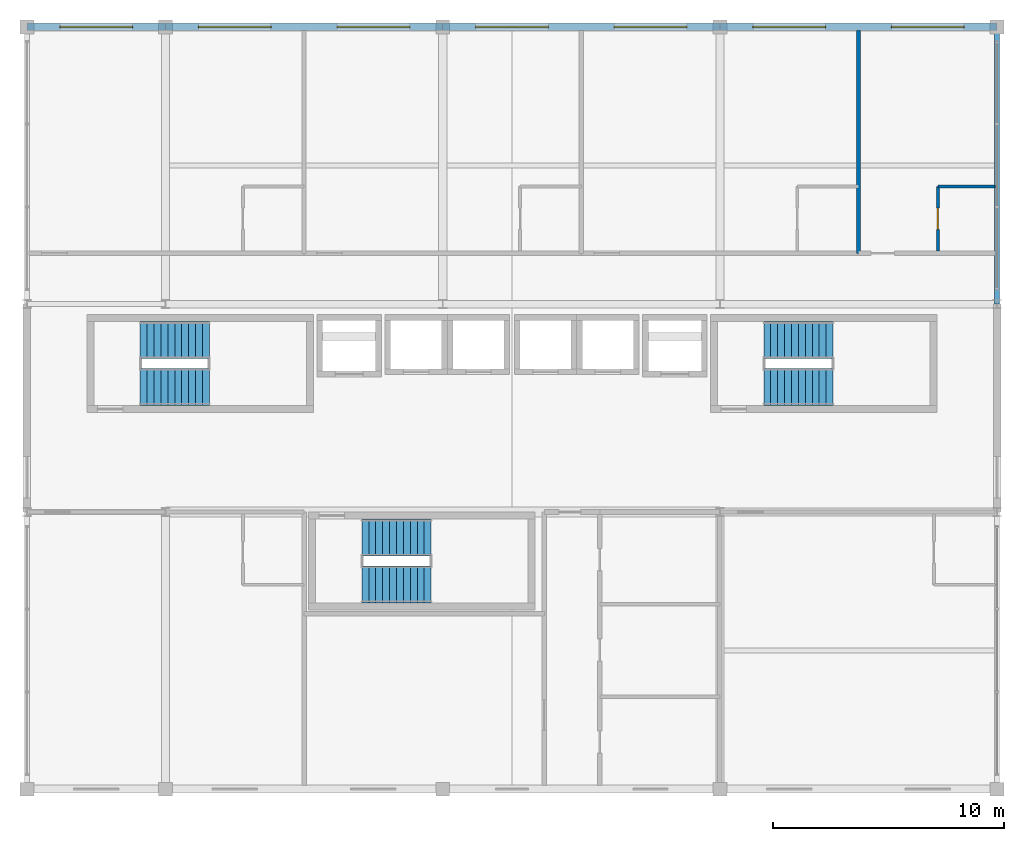
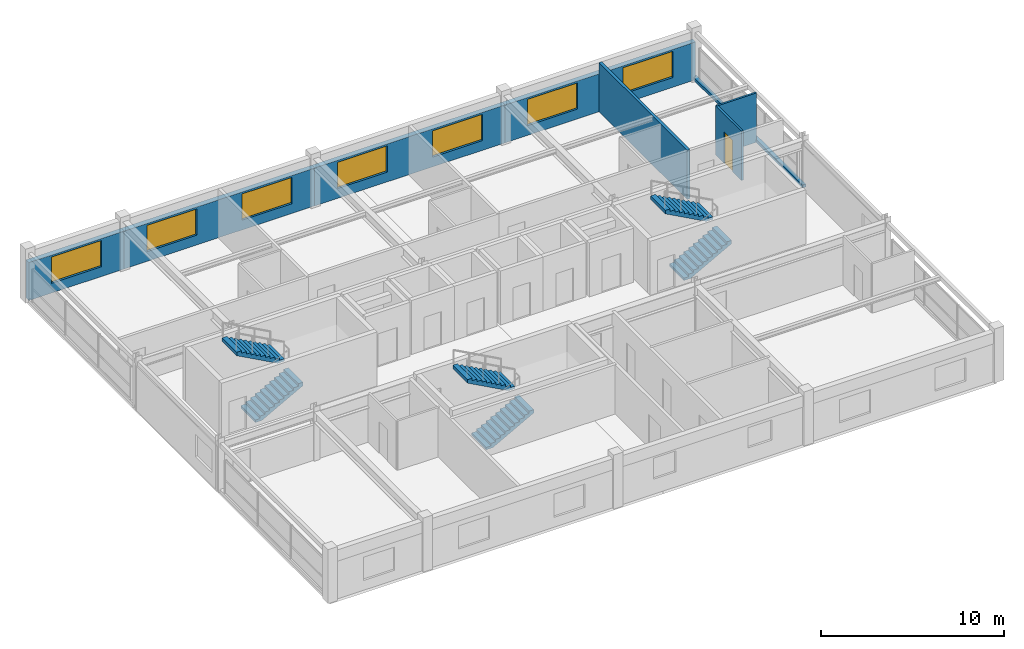
# One storey, part 21 of 22: 8 walls, 7 windows, 6 stair flights, 1 door, 8 openings, 3 elements without a shape of their own.
"""IFC4 building model written with IfcOpenShell, lengths in metres."""

from ifc_helpers import new_model, si_unit, direction, frame, frame_2d, origin, place, context, subcontext, project, spatial, polyline, rectangle, outline, extrude, material, layer, layer_set, type_object, element, fill, aggregate, save


model = new_model("IFC4")

# Units and contexts
model_context = context("Model", 3, precision=1e-05, world=origin(), true_north=direction((0.0, 1.0)))
body_context = subcontext(model_context, "Body", "Model", "MODEL_VIEW")
ifc_project = project(units=[si_unit("LENGTHUNIT", "METRE"), si_unit("AREAUNIT", "SQUARE_METRE"), si_unit("VOLUMEUNIT", "CUBIC_METRE"), si_unit("PLANEANGLEUNIT", "RADIAN"), si_unit("MASSUNIT", "GRAM", prefix="KILO")], contexts=[model_context])

# Site, building, storey
site_placement = place(None, origin())
site = spatial("IfcSite", under=ifc_project, at=site_placement, CompositionType="ELEMENT")
building_placement = place(site_placement, origin())
building = spatial("IfcBuilding", under=site, at=building_placement, Name="Kaldorvane Square Convention Centre", CompositionType="ELEMENT")
storey_placement = place(building_placement, frame((0.0, 0.0, 67.19999694824219)))
storey = spatial("IfcBuildingStorey", under=building, at=storey_placement, Name="L16", CompositionType="ELEMENT", Elevation=67.19999694824219)

# Wall, opening, door
ifc_material_1 = material(Name="Fire-Rated Gypsum Board on Acoustic Steel Studs", Category="steel")
ifc_layer_1 = layer(ifc_material_1, 0.125)
ifc_layer_set_1 = layer_set([ifc_layer_1], Name="Fire-Rated Gypsum Board on Acoustic Steel Studs")
wall_type_1 = type_object("IfcWallType", Name="WL-BATH-125", PredefinedType="PARTITIONING", material=ifc_layer_set_1)
wall_1_placement = place(storey_placement, frame((75.43499755859375, 107.28999328613281, 0.0), z_axis=(0.0, 0.0, 1.0), x_axis=(0.0, 1.0, 0.0)))
wall_1 = element("IfcWall", 1, at=wall_1_placement, inside=storey, type_object=wall_type_1, Name="En-Suite 1604 West Wall", PredefinedType="PARTITIONING", context=body_context, shape_type="SweptSolid", body=[
    extrude(rectangle(XDim=2.8100128173828125, YDim=0.125, at=frame_2d((1.404998779296875, 0.0))), origin(), (0.0, 0.0, 1.0), 3.279998779296875),
])
opening_1_placement = place(wall_1_placement, frame((0.9499969482421875, 0.0, 0.0)))
opening_1 = element("IfcOpeningElement", 2, at=opening_1_placement, cuts=wall_1, Name="Opening ID-12", PredefinedType="OPENING", context=body_context, shape_type="SweptSolid", body=[
    extrude(rectangle(XDim=0.9199981689453125, YDim=2.100006103515625, at=frame_2d((0.459991455078125, 1.0500030517578125))), frame((0.0, 0.0774993896484375, 0.0), z_axis=(0.0, -1.0, 0.0), x_axis=(1.0, 0.0, 0.0)), (0.0, 0.0, 1.0), 0.154998779296875),
])
ifc_material_2 = material(Name="Architectural Solid-Core White Oak")
door_type = type_object("IfcDoorType", Name="DR-BATH-0920X2100", OperationType="SINGLE_SWING_RIGHT", PredefinedType="DOOR", material=ifc_material_2)
door_placement = place(opening_1_placement, origin())
door = element("IfcDoor", 3, at=door_placement, inside=storey, type_object=door_type, Name="En-Suite Bathroom 1604 Door", OperationType="SINGLE_SWING_RIGHT", OverallHeight=2.100006103515625, OverallWidth=0.9199981689453125, PredefinedType="DOOR", context=body_context, shape_type="SweptSolid", body=[
    extrude(rectangle(XDim=0.9199981689453125, YDim=2.100006103515625, at=frame_2d((0.459991455078125, 1.0500030517578125))), frame((0.0, 0.024993896484375, 0.0), z_axis=(0.0, -1.0, 0.0), x_axis=(1.0, 0.0, 0.0)), (0.0, 0.0, 1.0), 0.0500030517578125),
])
fill(opening_1, door)

# Wall
wall_2_placement = place(storey_placement, frame((75.43499755859375, 110.10000610351562, 0.0), z_axis=(0.0, 0.0, 1.0), x_axis=(1.0, 0.0, 0.0)))
element("IfcWall", 4, at=wall_2_placement, inside=storey, type_object=wall_type_1, Name="En-Suite 1604 North Wall", PredefinedType="PARTITIONING", context=body_context, shape_type="SweptSolid", body=[
    extrude(rectangle(XDim=2.4799957275390625, YDim=0.125, at=frame_2d((1.239990234375, 0.0))), origin(), (0.0, 0.0, 1.0), 3.279998779296875),
])

# Wall, opening, window
ifc_material_3 = material(Name="Concrete f'c = 35 MPa (Normalweight)", Category="concrete")
ifc_layer_2 = layer(ifc_material_3, 0.32000732421875)
ifc_layer_set_2 = layer_set([ifc_layer_2], Name="Concrete f'c = 35 MPa (Normalweight)")
wall_type_2 = type_object("IfcWallType", Name="WL-EXT-320", PredefinedType="STANDARD", material=ifc_layer_set_2)
wall_3_placement = place(storey_placement, frame((42.0, 117.0, 0.0), z_axis=(0.0, 0.0, 1.0), x_axis=(-1.0, 0.0, 0.0)))
wall_3 = element("IfcWall", 5, at=wall_3_placement, inside=storey, type_object=wall_type_2, Name="Hotel N Brutalist Facade Wall (L16)", PredefinedType="STANDARD", context=body_context, shape_type="SweptSolid", body=[
    extrude(rectangle(XDim=6.0, YDim=0.32000732421875, at=frame_2d((3.0, 0.0))), origin(), (0.0, 0.0, 1.0), 2.5260009765625),
])
opening_2_placement = place(wall_3_placement, frame((1.4250030517578125, 0.0, 0.649993896484375)))
opening_2 = element("IfcOpeningElement", 6, at=opening_2_placement, cuts=wall_3, Name="Opening W-10", PredefinedType="OPENING", context=body_context, shape_type="SweptSolid", body=[
    extrude(rectangle(XDim=3.149993896484375, YDim=1.75, at=frame_2d((1.5749969482421875, 0.875))), frame((0.0, 0.1750030517578125, 0.0), z_axis=(0.0, -1.0, 0.0), x_axis=(1.0, 0.0, 0.0)), (0.0, 0.0, 1.0), 0.350006103515625),
])
ifc_material_4 = material(Name="Anodized Aluminum and Low-E Insulated Glazing", Category="aluminium")
window_type = type_object("IfcWindowType", Name="WN-HTL-3150X1750", PartitioningType="TRIPLE_PANEL_VERTICAL", PredefinedType="WINDOW", material=ifc_material_4)
window_1_placement = place(opening_2_placement, origin())
window_1 = element("IfcWindow", 7, at=window_1_placement, inside=storey, type_object=window_type, Name="Hotel N Window (L16)", OverallHeight=1.75, OverallWidth=3.149993896484375, PartitioningType="TRIPLE_PANEL_VERTICAL", PredefinedType="WINDOW", context=body_context, shape_type="SweptSolid", body=[
    extrude(rectangle(XDim=3.149993896484375, YDim=1.75, at=frame_2d((1.5749969482421875, 0.875))), frame((0.0, 0.029998779296875, 0.0), z_axis=(0.0, -1.0, 0.0), x_axis=(1.0, 0.0, 0.0)), (0.0, 0.0, 1.0), 0.05999755859375),
])
fill(opening_2, window_1)

# Wall, openings, windows
wall_4_placement = place(storey_placement, frame((54.0, 117.0, 0.0), z_axis=(0.0, 0.0, 1.0), x_axis=(-1.0, 0.0, 0.0)))
wall_4 = element("IfcWall", 8, at=wall_4_placement, inside=storey, type_object=wall_type_2, Name="Hotel N Brutalist Facade Wall (L16)", PredefinedType="STANDARD", context=body_context, shape_type="SweptSolid", body=[
    extrude(rectangle(XDim=12.0, YDim=0.32000732421875, at=frame_2d((6.0, 0.0))), origin(), (0.0, 0.0, 1.0), 2.5260009765625),
])
opening_3_placement = place(wall_4_placement, frame((1.4250030517578125, 0.0, 0.649993896484375)))
opening_3 = element("IfcOpeningElement", 9, at=opening_3_placement, cuts=wall_4, Name="Opening W-10", PredefinedType="OPENING", context=body_context, shape_type="SweptSolid", body=[
    extrude(rectangle(XDim=3.149993896484375, YDim=1.75, at=frame_2d((1.5749969482421875, 0.875))), frame((0.0, 0.1750030517578125, 0.0), z_axis=(0.0, -1.0, 0.0), x_axis=(1.0, 0.0, 0.0)), (0.0, 0.0, 1.0), 0.350006103515625),
])
opening_4_placement = place(wall_4_placement, frame((7.4250030517578125, 0.0, 0.649993896484375)))
opening_4 = element("IfcOpeningElement", 10, at=opening_4_placement, cuts=wall_4, Name="Opening W-10", PredefinedType="OPENING", context=body_context, shape_type="SweptSolid", body=[
    extrude(rectangle(XDim=3.149993896484375, YDim=1.75, at=frame_2d((1.5749969482421875, 0.875))), frame((0.0, 0.1750030517578125, 0.0), z_axis=(0.0, -1.0, 0.0), x_axis=(1.0, 0.0, 0.0)), (0.0, 0.0, 1.0), 0.350006103515625),
])
window_2_placement = place(opening_3_placement, origin())
window_2 = element("IfcWindow", 11, at=window_2_placement, inside=storey, type_object=window_type, Name="Hotel N Window (L16)", OverallHeight=1.75, OverallWidth=3.149993896484375, PartitioningType="TRIPLE_PANEL_VERTICAL", PredefinedType="WINDOW", context=body_context, shape_type="SweptSolid", body=[
    extrude(rectangle(XDim=3.149993896484375, YDim=1.75, at=frame_2d((1.5749969482421875, 0.875))), frame((0.0, 0.029998779296875, 0.0), z_axis=(0.0, -1.0, 0.0), x_axis=(1.0, 0.0, 0.0)), (0.0, 0.0, 1.0), 0.05999755859375),
])
fill(opening_3, window_2)
window_3_placement = place(opening_4_placement, origin())
window_3 = element("IfcWindow", 12, at=window_3_placement, inside=storey, type_object=window_type, Name="Hotel N Window (L16)", OverallHeight=1.75, OverallWidth=3.149993896484375, PartitioningType="TRIPLE_PANEL_VERTICAL", PredefinedType="WINDOW", context=body_context, shape_type="SweptSolid", body=[
    extrude(rectangle(XDim=3.149993896484375, YDim=1.75, at=frame_2d((1.5749969482421875, 0.875))), frame((0.0, 0.029998779296875, 0.0), z_axis=(0.0, -1.0, 0.0), x_axis=(1.0, 0.0, 0.0)), (0.0, 0.0, 1.0), 0.05999755859375),
])
fill(opening_4, window_3)

wall_5_placement = place(storey_placement, frame((66.0, 117.0, 0.0), z_axis=(0.0, 0.0, 1.0), x_axis=(-1.0, 0.0, 0.0)))
wall_5 = element("IfcWall", 13, at=wall_5_placement, inside=storey, type_object=wall_type_2, Name="Hotel N Brutalist Facade Wall (L16)", PredefinedType="STANDARD", context=body_context, shape_type="SweptSolid", body=[
    extrude(rectangle(XDim=12.0, YDim=0.32000732421875, at=frame_2d((6.0, 0.0))), origin(), (0.0, 0.0, 1.0), 2.5260009765625),
])
opening_5_placement = place(wall_5_placement, frame((1.4250030517578125, 0.0, 0.649993896484375)))
opening_5 = element("IfcOpeningElement", 14, at=opening_5_placement, cuts=wall_5, Name="Opening W-10", PredefinedType="OPENING", context=body_context, shape_type="SweptSolid", body=[
    extrude(rectangle(XDim=3.149993896484375, YDim=1.75, at=frame_2d((1.5749969482421875, 0.875))), frame((0.0, 0.1750030517578125, 0.0), z_axis=(0.0, -1.0, 0.0), x_axis=(1.0, 0.0, 0.0)), (0.0, 0.0, 1.0), 0.350006103515625),
])
opening_6_placement = place(wall_5_placement, frame((7.4250030517578125, 0.0, 0.649993896484375)))
opening_6 = element("IfcOpeningElement", 15, at=opening_6_placement, cuts=wall_5, Name="Opening W-10", PredefinedType="OPENING", context=body_context, shape_type="SweptSolid", body=[
    extrude(rectangle(XDim=3.149993896484375, YDim=1.75, at=frame_2d((1.5749969482421875, 0.875))), frame((0.0, 0.1750030517578125, 0.0), z_axis=(0.0, -1.0, 0.0), x_axis=(1.0, 0.0, 0.0)), (0.0, 0.0, 1.0), 0.350006103515625),
])
window_4_placement = place(opening_5_placement, origin())
window_4 = element("IfcWindow", 16, at=window_4_placement, inside=storey, type_object=window_type, Name="Hotel N Window (L16)", OverallHeight=1.75, OverallWidth=3.149993896484375, PartitioningType="TRIPLE_PANEL_VERTICAL", PredefinedType="WINDOW", context=body_context, shape_type="SweptSolid", body=[
    extrude(rectangle(XDim=3.149993896484375, YDim=1.75, at=frame_2d((1.5749969482421875, 0.875))), frame((0.0, 0.029998779296875, 0.0), z_axis=(0.0, -1.0, 0.0), x_axis=(1.0, 0.0, 0.0)), (0.0, 0.0, 1.0), 0.05999755859375),
])
fill(opening_5, window_4)
window_5_placement = place(opening_6_placement, origin())
window_5 = element("IfcWindow", 17, at=window_5_placement, inside=storey, type_object=window_type, Name="Hotel N Window (L16)", OverallHeight=1.75, OverallWidth=3.149993896484375, PartitioningType="TRIPLE_PANEL_VERTICAL", PredefinedType="WINDOW", context=body_context, shape_type="SweptSolid", body=[
    extrude(rectangle(XDim=3.149993896484375, YDim=1.75, at=frame_2d((1.5749969482421875, 0.875))), frame((0.0, 0.029998779296875, 0.0), z_axis=(0.0, -1.0, 0.0), x_axis=(1.0, 0.0, 0.0)), (0.0, 0.0, 1.0), 0.05999755859375),
])
fill(opening_6, window_5)

wall_6_placement = place(storey_placement, frame((78.0, 117.0, 0.0), z_axis=(0.0, 0.0, 1.0), x_axis=(-1.0, 0.0, 0.0)))
wall_6 = element("IfcWall", 18, at=wall_6_placement, inside=storey, type_object=wall_type_2, Name="Hotel N Brutalist Facade Wall (L16)", PredefinedType="STANDARD", context=body_context, shape_type="SweptSolid", body=[
    extrude(rectangle(XDim=12.0, YDim=0.32000732421875, at=frame_2d((6.0, 0.0))), origin(), (0.0, 0.0, 1.0), 2.5260009765625),
])
opening_7_placement = place(wall_6_placement, frame((1.4250030517578125, 0.0, 0.649993896484375)))
opening_7 = element("IfcOpeningElement", 19, at=opening_7_placement, cuts=wall_6, Name="Opening W-10", PredefinedType="OPENING", context=body_context, shape_type="SweptSolid", body=[
    extrude(rectangle(XDim=3.149993896484375, YDim=1.75, at=frame_2d((1.5749969482421875, 0.875))), frame((0.0, 0.1750030517578125, 0.0), z_axis=(0.0, -1.0, 0.0), x_axis=(1.0, 0.0, 0.0)), (0.0, 0.0, 1.0), 0.350006103515625),
])
opening_8_placement = place(wall_6_placement, frame((7.4250030517578125, 0.0, 0.649993896484375)))
opening_8 = element("IfcOpeningElement", 20, at=opening_8_placement, cuts=wall_6, Name="Opening W-10", PredefinedType="OPENING", context=body_context, shape_type="SweptSolid", body=[
    extrude(rectangle(XDim=3.149993896484375, YDim=1.75, at=frame_2d((1.5749969482421875, 0.875))), frame((0.0, 0.1750030517578125, 0.0), z_axis=(0.0, -1.0, 0.0), x_axis=(1.0, 0.0, 0.0)), (0.0, 0.0, 1.0), 0.350006103515625),
])
window_6_placement = place(opening_7_placement, origin())
window_6 = element("IfcWindow", 21, at=window_6_placement, inside=storey, type_object=window_type, Name="Hotel N Window (L16)", OverallHeight=1.75, OverallWidth=3.149993896484375, PartitioningType="TRIPLE_PANEL_VERTICAL", PredefinedType="WINDOW", context=body_context, shape_type="SweptSolid", body=[
    extrude(rectangle(XDim=3.149993896484375, YDim=1.75, at=frame_2d((1.5749969482421875, 0.875))), frame((0.0, 0.029998779296875, 0.0), z_axis=(0.0, -1.0, 0.0), x_axis=(1.0, 0.0, 0.0)), (0.0, 0.0, 1.0), 0.05999755859375),
])
fill(opening_7, window_6)
window_7_placement = place(opening_8_placement, origin())
window_7 = element("IfcWindow", 22, at=window_7_placement, inside=storey, type_object=window_type, Name="Hotel N Window (L16)", OverallHeight=1.75, OverallWidth=3.149993896484375, PartitioningType="TRIPLE_PANEL_VERTICAL", PredefinedType="WINDOW", context=body_context, shape_type="SweptSolid", body=[
    extrude(rectangle(XDim=3.149993896484375, YDim=1.75, at=frame_2d((1.5749969482421875, 0.875))), frame((0.0, 0.029998779296875, 0.0), z_axis=(0.0, -1.0, 0.0), x_axis=(1.0, 0.0, 0.0)), (0.0, 0.0, 1.0), 0.05999755859375),
])
fill(opening_8, window_7)

# Walls
ifc_layer_3 = layer(ifc_material_3, 0.220001220703125)
ifc_layer_set_3 = layer_set([ifc_layer_3], Name="Concrete f'c = 35 MPa (Normalweight)")
wall_type_3 = type_object("IfcWallType", Name="WL-PAR-220", PredefinedType="PARAPET", material=ifc_layer_set_3)
wall_7_placement = place(storey_placement, frame((78.0, 105.0, 0.0), z_axis=(0.0, 0.0, 1.0), x_axis=(0.0, 1.0, 0.0)))
element("IfcWall", 23, at=wall_7_placement, inside=storey, type_object=wall_type_3, Name="Hotel End Curtain-Wall Sill (L16)", PredefinedType="PARAPET", context=body_context, shape_type="SweptSolid", body=[
    extrude(rectangle(XDim=12.0, YDim=0.220001220703125, at=frame_2d((6.0, 0.0))), origin(), (0.0, 0.0, 1.0), 0.1999969482421875),
])
ifc_layer_4 = layer(ifc_material_1, 0.17999267578125)
ifc_layer_set_4 = layer_set([ifc_layer_4], Name="Fire-Rated Gypsum Board on Acoustic Steel Studs")
wall_type_4 = type_object("IfcWallType", Name="WL-UNIT-180", PredefinedType="PARTITIONING", material=ifc_layer_set_4)
wall_8_placement = place(storey_placement, frame((72.0, 107.19999694824219, 0.0), z_axis=(0.0, 0.0, 1.0), x_axis=(0.0, 1.0, 0.0)))
element("IfcWall", 24, at=wall_8_placement, inside=storey, type_object=wall_type_4, Name="Guestroom Demising Wall 1603", PredefinedType="PARTITIONING", context=body_context, shape_type="SweptSolid", body=[
    extrude(rectangle(XDim=9.639999389648438, YDim=0.17999267578125, at=frame_2d((4.82000732421875, 0.0))), origin(), (0.0, 0.0, 1.0), 3.279998779296875),
])

# Stair, stair flights
ifc_material_5 = material(Name="Concrete f'c = 42 MPa (Normalweight)", Category="concrete")
stair_type = type_object("IfcStairType", Name="ST-DL-1600-3600", PredefinedType="HALF_TURN_STAIR", material=ifc_material_5)
stair_1_placement = place(storey_placement, origin())
stair_1 = element("IfcStair", 25, at=stair_1_placement, inside=storey, type_object=stair_type, Name="Tower Exit Stair T1 (L16)", PredefinedType="HALF_TURN_STAIR")
stair_flight_type = type_object("IfcStairFlightType", Name="SF-STR-1600-11R", PredefinedType="STRAIGHT", material=ifc_material_5)
stair_flight_1_placement = place(storey_placement, frame((40.899993896484375, 101.41000366210938, 0.0), z_axis=(0.0, 0.0, 1.0), x_axis=(1.0, 0.0, 0.0)))
stair_flight_1 = element("IfcStairFlight", 26, at=stair_flight_1_placement, type_object=stair_flight_type, Name="Tower Exit Stair T1 Flight 1 (L16)", NumberOfRisers=11, NumberOfTreads=10, PredefinedType="STRAIGHT", RiserHeight=0.163636364, TreadLength=0.3, context=body_context, shape_type="SweptSolid", body=[
    extrude(outline(polyline([(0.0, 0.0), (0.0, 0.16363525390625), (0.3000030517578125, 0.16363525390625), (0.3000030517578125, 0.3272705078125), (0.600006103515625, 0.3272705078125), (0.600006103515625, 0.49090576171875), (0.899993896484375, 0.49090576171875), (0.899993896484375, 0.654541015625), (1.1999969482421875, 0.654541015625), (1.1999969482421875, 0.81817626953125), (1.5, 0.81817626953125), (1.5, 0.9818115234375), (1.8000030517578125, 0.9818115234375), (1.8000030517578125, 1.1454620361328125), (2.100006103515625, 1.1454620361328125), (2.100006103515625, 1.3090972900390625), (2.399993896484375, 1.3090972900390625), (2.399993896484375, 1.4727325439453125), (2.6999969482421875, 1.4727325439453125), (2.6999969482421875, 1.6363677978515625), (3.0, 1.6363677978515625), (3.0, 1.8000030517578125), (3.0, 1.4085540771484375), (0.41766357421875, 0.0), (0.0, 0.0)])), frame((0.0, 0.8000030517578125, 0.0), z_axis=(0.0, -1.0, 0.0), x_axis=(1.0, 0.0, 0.0)), (0.0, 0.0, 1.0), 1.600006103515625),
])
stair_flight_2_placement = place(storey_placement, frame((43.899993896484375, 103.44999694824219, 1.8000030517578125), z_axis=(0.0, 0.0, 1.0), x_axis=(-1.0, 0.0, 0.0)))
stair_flight_2 = element("IfcStairFlight", 27, at=stair_flight_2_placement, type_object=stair_flight_type, Name="Tower Exit Stair T1 Flight 2 (L16)", NumberOfRisers=11, NumberOfTreads=10, PredefinedType="STRAIGHT", RiserHeight=0.163636364, TreadLength=0.3, context=body_context, shape_type="SweptSolid", body=[
    extrude(outline(polyline([(0.0, 0.0), (0.0, 0.16363525390625), (0.3000030517578125, 0.16363525390625), (0.3000030517578125, 0.3272705078125), (0.600006103515625, 0.3272705078125), (0.600006103515625, 0.49090576171875), (0.899993896484375, 0.49090576171875), (0.899993896484375, 0.654541015625), (1.1999969482421875, 0.654541015625), (1.1999969482421875, 0.81817626953125), (1.5, 0.81817626953125), (1.5, 0.9818115234375), (1.8000030517578125, 0.9818115234375), (1.8000030517578125, 1.1454620361328125), (2.100006103515625, 1.1454620361328125), (2.100006103515625, 1.3090972900390625), (2.399993896484375, 1.3090972900390625), (2.399993896484375, 1.4727325439453125), (2.6999969482421875, 1.4727325439453125), (2.6999969482421875, 1.6363677978515625), (3.0, 1.6363677978515625), (3.0, 1.8000030517578125), (3.0, 1.4085540771484375), (0.41766357421875, 0.0), (0.0, 0.0)])), frame((0.0, 0.8000030517578125, 0.0), z_axis=(0.0, -1.0, 0.0), x_axis=(1.0, 0.0, 0.0)), (0.0, 0.0, 1.0), 1.600006103515625),
])
aggregate(stair_1, [stair_flight_1, stair_flight_2])

stair_2_placement = place(storey_placement, origin())
stair_2 = element("IfcStair", 28, at=stair_2_placement, inside=storey, type_object=stair_type, Name="Tower Exit Stair T2 (L16)", PredefinedType="HALF_TURN_STAIR")
stair_flight_3_placement = place(storey_placement, frame((67.89999389648438, 101.41000366210938, 0.0), z_axis=(0.0, 0.0, 1.0), x_axis=(1.0, 0.0, 0.0)))
stair_flight_3 = element("IfcStairFlight", 29, at=stair_flight_3_placement, type_object=stair_flight_type, Name="Tower Exit Stair T2 Flight 1 (L16)", NumberOfRisers=11, NumberOfTreads=10, PredefinedType="STRAIGHT", RiserHeight=0.163636364, TreadLength=0.3, context=body_context, shape_type="SweptSolid", body=[
    extrude(outline(polyline([(0.0, 0.0), (0.0, 0.16363525390625), (0.3000030517578125, 0.16363525390625), (0.3000030517578125, 0.3272705078125), (0.600006103515625, 0.3272705078125), (0.600006103515625, 0.49090576171875), (0.899993896484375, 0.49090576171875), (0.899993896484375, 0.654541015625), (1.1999969482421875, 0.654541015625), (1.1999969482421875, 0.81817626953125), (1.5, 0.81817626953125), (1.5, 0.9818115234375), (1.8000030517578125, 0.9818115234375), (1.8000030517578125, 1.1454620361328125), (2.100006103515625, 1.1454620361328125), (2.100006103515625, 1.3090972900390625), (2.399993896484375, 1.3090972900390625), (2.399993896484375, 1.4727325439453125), (2.6999969482421875, 1.4727325439453125), (2.6999969482421875, 1.6363677978515625), (3.0, 1.6363677978515625), (3.0, 1.8000030517578125), (3.0, 1.4085540771484375), (0.41766357421875, 0.0), (0.0, 0.0)])), frame((0.0, 0.8000030517578125, 0.0), z_axis=(0.0, -1.0, 0.0), x_axis=(1.0, 0.0, 0.0)), (0.0, 0.0, 1.0), 1.600006103515625),
])
stair_flight_4_placement = place(storey_placement, frame((70.89999389648438, 103.44999694824219, 1.8000030517578125), z_axis=(0.0, 0.0, 1.0), x_axis=(-1.0, 0.0, 0.0)))
stair_flight_4 = element("IfcStairFlight", 30, at=stair_flight_4_placement, type_object=stair_flight_type, Name="Tower Exit Stair T2 Flight 2 (L16)", NumberOfRisers=11, NumberOfTreads=10, PredefinedType="STRAIGHT", RiserHeight=0.163636364, TreadLength=0.3, context=body_context, shape_type="SweptSolid", body=[
    extrude(outline(polyline([(0.0, 0.0), (0.0, 0.16363525390625), (0.3000030517578125, 0.16363525390625), (0.3000030517578125, 0.3272705078125), (0.600006103515625, 0.3272705078125), (0.600006103515625, 0.49090576171875), (0.899993896484375, 0.49090576171875), (0.899993896484375, 0.654541015625), (1.1999969482421875, 0.654541015625), (1.1999969482421875, 0.81817626953125), (1.5, 0.81817626953125), (1.5, 0.9818115234375), (1.8000030517578125, 0.9818115234375), (1.8000030517578125, 1.1454620361328125), (2.100006103515625, 1.1454620361328125), (2.100006103515625, 1.3090972900390625), (2.399993896484375, 1.3090972900390625), (2.399993896484375, 1.4727325439453125), (2.6999969482421875, 1.4727325439453125), (2.6999969482421875, 1.6363677978515625), (3.0, 1.6363677978515625), (3.0, 1.8000030517578125), (3.0, 1.4085540771484375), (0.41766357421875, 0.0), (0.0, 0.0)])), frame((0.0, 0.8000030517578125, 0.0), z_axis=(0.0, -1.0, 0.0), x_axis=(1.0, 0.0, 0.0)), (0.0, 0.0, 1.0), 1.600006103515625),
])
aggregate(stair_2, [stair_flight_3, stair_flight_4])

stair_3_placement = place(storey_placement, origin())
stair_3 = element("IfcStair", 31, at=stair_3_placement, inside=storey, type_object=stair_type, Name="Tower Exit Stair T3 (L16)", PredefinedType="HALF_TURN_STAIR")
stair_flight_5_placement = place(storey_placement, frame((50.5, 92.86000061035156, 0.0), z_axis=(0.0, 0.0, 1.0), x_axis=(1.0, 0.0, 0.0)))
stair_flight_5 = element("IfcStairFlight", 32, at=stair_flight_5_placement, type_object=stair_flight_type, Name="Tower Exit Stair T3 Flight 1 (L16)", NumberOfRisers=11, NumberOfTreads=10, PredefinedType="STRAIGHT", RiserHeight=0.163636364, TreadLength=0.3, context=body_context, shape_type="SweptSolid", body=[
    extrude(outline(polyline([(0.0, 0.0), (0.0, 0.16363525390625), (0.3000030517578125, 0.16363525390625), (0.3000030517578125, 0.3272705078125), (0.600006103515625, 0.3272705078125), (0.600006103515625, 0.49090576171875), (0.899993896484375, 0.49090576171875), (0.899993896484375, 0.654541015625), (1.1999969482421875, 0.654541015625), (1.1999969482421875, 0.81817626953125), (1.5, 0.81817626953125), (1.5, 0.9818115234375), (1.8000030517578125, 0.9818115234375), (1.8000030517578125, 1.1454620361328125), (2.100006103515625, 1.1454620361328125), (2.100006103515625, 1.3090972900390625), (2.399993896484375, 1.3090972900390625), (2.399993896484375, 1.4727325439453125), (2.6999969482421875, 1.4727325439453125), (2.6999969482421875, 1.6363677978515625), (3.0, 1.6363677978515625), (3.0, 1.8000030517578125), (3.0, 1.4085540771484375), (0.41766357421875, 0.0), (0.0, 0.0)])), frame((0.0, 0.8000030517578125, 0.0), z_axis=(0.0, -1.0, 0.0), x_axis=(1.0, 0.0, 0.0)), (0.0, 0.0, 1.0), 1.600006103515625),
])
stair_flight_6_placement = place(storey_placement, frame((53.5, 94.89999389648438, 1.8000030517578125), z_axis=(0.0, 0.0, 1.0), x_axis=(-1.0, 0.0, 0.0)))
stair_flight_6 = element("IfcStairFlight", 33, at=stair_flight_6_placement, type_object=stair_flight_type, Name="Tower Exit Stair T3 Flight 2 (L16)", NumberOfRisers=11, NumberOfTreads=10, PredefinedType="STRAIGHT", RiserHeight=0.163636364, TreadLength=0.3, context=body_context, shape_type="SweptSolid", body=[
    extrude(outline(polyline([(0.0, 0.0), (0.0, 0.16363525390625), (0.3000030517578125, 0.16363525390625), (0.3000030517578125, 0.3272705078125), (0.600006103515625, 0.3272705078125), (0.600006103515625, 0.49090576171875), (0.899993896484375, 0.49090576171875), (0.899993896484375, 0.654541015625), (1.1999969482421875, 0.654541015625), (1.1999969482421875, 0.81817626953125), (1.5, 0.81817626953125), (1.5, 0.9818115234375), (1.8000030517578125, 0.9818115234375), (1.8000030517578125, 1.1454620361328125), (2.100006103515625, 1.1454620361328125), (2.100006103515625, 1.3090972900390625), (2.399993896484375, 1.3090972900390625), (2.399993896484375, 1.4727325439453125), (2.6999969482421875, 1.4727325439453125), (2.6999969482421875, 1.6363677978515625), (3.0, 1.6363677978515625), (3.0, 1.8000030517578125), (3.0, 1.4085540771484375), (0.41766357421875, 0.0), (0.0, 0.0)])), frame((0.0, 0.8000030517578125, 0.0), z_axis=(0.0, -1.0, 0.0), x_axis=(1.0, 0.0, 0.0)), (0.0, 0.0, 1.0), 1.600006103515625),
])
aggregate(stair_3, [stair_flight_5, stair_flight_6])

save(model, "model.ifc")
